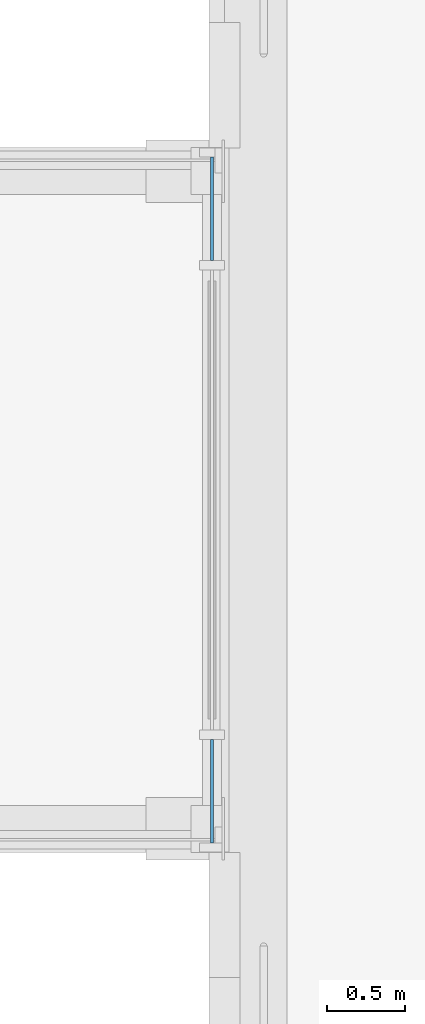
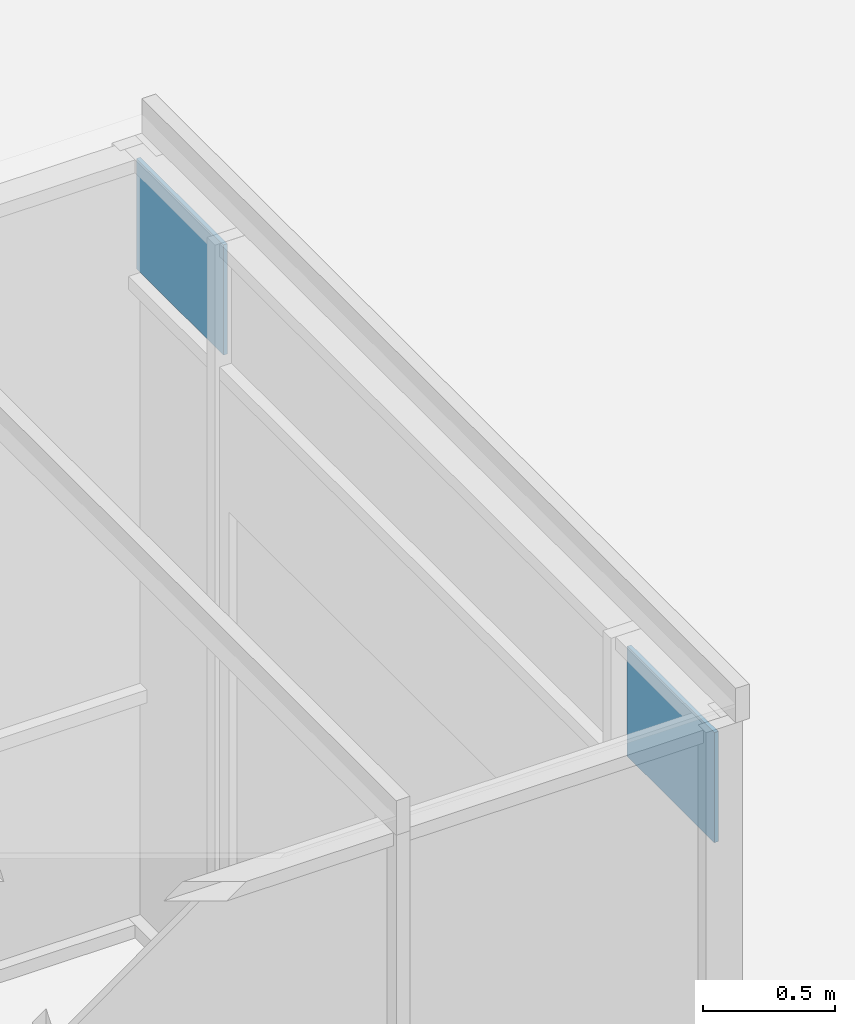
# One storey, part 50 of 79: 2 plates, 1 element without a shape of its own.
"""IFC4 building model written with IfcOpenShell, lengths in metres."""

import ifcopenshell
import ifcopenshell.guid

model = None  # the IFC model being written
_history = None  # IfcOwnerHistory: only IFC2X3 demands one
_inside = {}  # id of a spatial element -> (the spatial element, [elements in it])
_under = {}  # id of a project, library or spatial element -> (it, [spatial elements below it])
_declared = {}  # id of a project -> (the project, [libraries it declares])
_typed = {}  # id of a type object -> (the type object, [elements of that type])
_made_of = {}  # id of a material, layer set ... -> (it, [elements and type objects made of it])


def new_model(schema):
    """Start an empty IFC model of exactly this schema.

    Asked for "IFC4X3", IfcOpenShell would pick the latest addendum, in which some entities
    have other attributes; the version numbers below select the first issue.
    IFC2X3 requires an IfcOwnerHistory on every rooted entity: one is made here for all.
    """
    global model, _history
    if schema == "IFC4X3":
        model = ifcopenshell.file(schema_version=(4, 3, 0, 0))
    else:
        model = ifcopenshell.file(schema=schema)
    _inside.clear()
    _under.clear()
    _declared.clear()
    _typed.clear()
    _made_of.clear()
    _history = None
    if model.schema == "IFC2X3":
        org = make("IfcOrganization", Name="unknown")
        user = make(
            "IfcPersonAndOrganization",
            ThePerson=make("IfcPerson", FamilyName="unknown"),
            TheOrganization=org,
        )
        app = make(
            "IfcApplication",
            ApplicationDeveloper=org,
            Version="unknown",
            ApplicationFullName="unknown",
            ApplicationIdentifier="unknown",
        )
        _history = make(
            "IfcOwnerHistory",
            OwningUser=user,
            OwningApplication=app,
            ChangeAction="ADDED",
            CreationDate=0,
        )
    return model


def make(cls, **values):
    """One entity of the class cls with the attributes given. An attribute that is None is left unset."""
    return model.create_entity(
        cls, **{name: value for name, value in values.items() if value is not None}
    )


def rooted(cls, **values):
    """An entity with a GlobalId (a new one), such as an element, a storey or a relation."""
    return make(cls, GlobalId=ifcopenshell.guid.new(), OwnerHistory=_history, **values)


def si_unit(unit_type, name, prefix=None):
    """IfcSIUnit, for example si_unit("LENGTHUNIT", "METRE", prefix="MILLI")."""
    return make("IfcSIUnit", UnitType=unit_type, Prefix=prefix, Name=name)


def assignment(units):
    """IfcUnitAssignment: the units of a project."""
    return None if units is None else make("IfcUnitAssignment", Units=units)


def point(xyz):
    """IfcCartesianPoint."""
    return None if xyz is None else make("IfcCartesianPoint", Coordinates=xyz)


def direction(xyz):
    """IfcDirection."""
    return None if xyz is None else make("IfcDirection", DirectionRatios=xyz)


def frame(location, z_axis=None, x_axis=None):
    """IfcAxis2Placement3D, a coordinate frame: its origin and axes. An axis left out is left unset."""
    return make(
        "IfcAxis2Placement3D",
        Location=point(location),
        Axis=direction(z_axis),
        RefDirection=direction(x_axis),
    )


def frame_2d(location, x_axis=None):
    """IfcAxis2Placement2D, a coordinate frame in the plane: its origin and x axis."""
    return make(
        "IfcAxis2Placement2D", Location=point(location), RefDirection=direction(x_axis)
    )


def origin():
    """The frame at (0, 0, 0) with its axes left unset."""
    return frame((0.0, 0.0, 0.0))


def origin_2d():
    """The frame at (0, 0) in the plane with its x axis left unset."""
    return frame_2d((0.0, 0.0))


def place(relative_to, where):
    """IfcLocalPlacement: puts the frame where relative to a parent placement (None: the world)."""
    return make(
        "IfcLocalPlacement", PlacementRelTo=relative_to, RelativePlacement=where
    )


def context(
    kind, dimensions, precision=None, world=None, true_north=None, identifier=None
):
    """IfcGeometricRepresentationContext, for example the 3D "Model" context."""
    return make(
        "IfcGeometricRepresentationContext",
        ContextIdentifier=identifier,
        ContextType=kind,
        CoordinateSpaceDimension=dimensions,
        Precision=precision,
        WorldCoordinateSystem=world,
        TrueNorth=true_north,
    )


def subcontext(parent, identifier, kind, view, scale=None):
    """IfcGeometricRepresentationSubContext, for example "Body" below "Model"."""
    return make(
        "IfcGeometricRepresentationSubContext",
        ContextIdentifier=identifier,
        ContextType=kind,
        ParentContext=parent,
        TargetScale=scale,
        TargetView=view,
    )


def project(units=None, contexts=None):
    """IfcProject with its units and contexts."""
    return rooted(
        "IfcProject",
        Name="project",
        RepresentationContexts=contexts,
        UnitsInContext=assignment(units),
    )


def spatial(cls, under=None, at=None, **own):
    """A site, building, storey or space (cls), placed at a placement, below another one or the project."""
    s = rooted(cls, ObjectPlacement=at, **own)
    if under is not None:
        _under.setdefault(under.id(), (under, []))[1].append(s)
    return s


def profile(cls, at=None, kind="AREA", **sizes):
    """A parametric profile (cls). Its sizes go by their IFC names, for example OverallWidth=200.0."""
    return make(cls, ProfileType=kind, Position=at, **sizes)


def rectangle(**sizes):
    """IfcRectangleProfileDef."""
    return profile("IfcRectangleProfileDef", **sizes)


def extrude(swept, where, along, depth):
    """IfcExtrudedAreaSolid: the profile swept, set in the frame where, extruded along a direction by depth."""
    return make(
        "IfcExtrudedAreaSolid",
        SweptArea=swept,
        Position=where,
        ExtrudedDirection=direction(along),
        Depth=depth,
    )


def shape(context_of_items, identifier, shape_type, items):
    """IfcShapeRepresentation: the items that make up one representation, for example the "Body"."""
    return make(
        "IfcShapeRepresentation",
        ContextOfItems=context_of_items,
        RepresentationIdentifier=identifier,
        RepresentationType=shape_type,
        Items=items,
    )


def material(Name=None, Category=None):
    """IfcMaterial."""
    return make("IfcMaterial", Name=Name, Category=Category)


def layer(
    of_material, thickness, ventilated=None, Name=None, Category=None, Priority=None
):
    """IfcMaterialLayer: one layer of a wall or slab, of a material (None: an air gap)."""
    return make(
        "IfcMaterialLayer",
        Material=of_material,
        LayerThickness=thickness,
        IsVentilated=ventilated,
        Name=Name,
        Category=Category,
        Priority=Priority,
    )


def layer_set(layers, Name=None):
    """IfcMaterialLayerSet."""
    return make("IfcMaterialLayerSet", MaterialLayers=layers, LayerSetName=Name)


def made_of(thing, what):
    """Note that an element or type object is made of a material, layer set ...; save() writes the relation."""
    if what is not None:
        _made_of.setdefault(what.id(), (what, []))[1].append(thing)
    return thing


def type_object(cls, material=None, **own):
    """A type object (cls), such as IfcWallType, which elements share."""
    return made_of(rooted(cls, **own), material)


def element(
    cls,
    number,
    at=None,
    inside=None,
    cuts=None,
    type_object=None,
    material=None,
    context=None,
    identifier="Body",
    shape_type=None,
    held_by="IfcProductDefinitionShape",
    body=None,
    shapes=None,
    **own,
):
    """One element of the class cls, such as IfcWall. Its Tag is "e" and its number.

    at: its placement. inside: the storey or other place that contains it. cuts: it is an
    opening in that element (IfcRelVoidsElement). A single representation is given by context,
    identifier, shape_type and body (its items); several are given by shapes. held_by: the class
    of the entity that holds the representations. save() writes the other relations.
    """
    e = rooted(cls, Tag="e%d" % number, ObjectPlacement=at, **own)
    if body is not None:
        shapes = [shape(context, identifier, shape_type, body)]
    if shapes is not None:
        e.Representation = make(held_by, Representations=shapes)
    if inside is not None:
        _inside.setdefault(inside.id(), (inside, []))[1].append(e)
    if cuts is not None:
        rooted(
            "IfcRelVoidsElement", RelatingBuildingElement=cuts, RelatedOpeningElement=e
        )
    if type_object is not None:
        _typed.setdefault(type_object.id(), (type_object, []))[1].append(e)
    return made_of(e, material)


def aggregate(whole, parts):
    """IfcRelAggregates: a whole, such as a stair, and the parts it consists of."""
    return rooted("IfcRelAggregates", RelatingObject=whole, RelatedObjects=parts)


def save(model, path):
    """Write the relations noted so far, then the file.

    IfcRelAggregates (storeys below a building ...), IfcRelContainedInSpatialStructure (elements
    in a storey), IfcRelDefinesByType, IfcRelAssociatesMaterial and IfcRelDeclares: one each for
    every whole, place, type object, material and project.
    """
    for whole, parts in _under.values():
        aggregate(whole, parts)
    for where, things in _inside.values():
        rooted(
            "IfcRelContainedInSpatialStructure",
            RelatedElements=things,
            RelatingStructure=where,
        )
    for kind, things in _typed.values():
        rooted("IfcRelDefinesByType", RelatedObjects=things, RelatingType=kind)
    for what, things in _made_of.values():
        rooted("IfcRelAssociatesMaterial", RelatedObjects=things, RelatingMaterial=what)
    for by, libraries in _declared.values():
        rooted("IfcRelDeclares", RelatingContext=by, RelatedDefinitions=libraries)
    model.write(path)


model = new_model("IFC4")

# Units and contexts
model_context = context("Model", 3, precision=1e-05, world=origin(), true_north=direction((0.0, 1.0)))
body_context = subcontext(model_context, "Body", "Model", "MODEL_VIEW")
ifc_project = project(units=[si_unit("LENGTHUNIT", "METRE"), si_unit("AREAUNIT", "SQUARE_METRE"), si_unit("VOLUMEUNIT", "CUBIC_METRE"), si_unit("PLANEANGLEUNIT", "RADIAN"), si_unit("MASSUNIT", "GRAM", prefix="KILO")], contexts=[model_context])

# Site, building, storey
site_placement = place(None, origin())
site = spatial("IfcSite", under=ifc_project, at=site_placement, CompositionType="ELEMENT")
building_placement = place(site_placement, origin())
building = spatial("IfcBuilding", under=site, at=building_placement, Name="Guidao Yard Department Store", CompositionType="ELEMENT")
storey_placement = place(building_placement, frame((0.0, 0.0, 15.0)))
storey = spatial("IfcBuildingStorey", under=building, at=storey_placement, Name="L03", CompositionType="ELEMENT", Elevation=15.0)

# Curtain wall, plates
ifc_material_1 = material(Name="Aluminium and glass", Category="aluminium")
ifc_layer_1 = layer(ifc_material_1, 0.159912109375)
ifc_layer_set_1 = layer_set([ifc_layer_1], Name="Bridge glazing CW5 1500 module")
curtain_wall_type = type_object("IfcCurtainWallType", Name="Bridge glazing CW5 1500 module", PredefinedType="NOTDEFINED", material=ifc_layer_set_1)
curtain_wall_placement = place(storey_placement, origin())
curtain_wall = element("IfcCurtainWall", 1, at=curtain_wall_placement, inside=storey, type_object=curtain_wall_type, Name="Bridge end screen BR05", PredefinedType="NOTDEFINED")
ifc_material_2 = material(Name="Laminated heat-soaked tempered glass", Category="glass")
ifc_layer_2 = layer(ifc_material_2, 0.017578125)
ifc_layer_set_2 = layer_set([ifc_layer_2], Name="Vision glass VG1 laminated heat-soaked tempered 8+8")
plate_type = type_object("IfcPlateType", Name="Vision glass VG1 laminated heat-soaked tempered 8+8", PredefinedType="CURTAIN_PANEL", material=ifc_layer_set_2)
plate_1_placement = place(storey_placement, frame((71.919921875, 65.639892578125, 3.02978515625), z_axis=(0.0, 0.0, 1.0), x_axis=(0.0, -1.0, 0.0)))
plate_1 = element("IfcPlate", 2, at=plate_1_placement, type_object=plate_type, Name="CW-E-L03-03 panel 1.2", PredefinedType="CURTAIN_PANEL", context=body_context, shape_type="SweptSolid", body=[
    extrude(rectangle(XDim=0.659912109375, YDim=0.017578125, at=origin_2d()), origin(), (0.0, 0.0, 1.0), 0.510009765625),
])
plate_2_placement = place(storey_placement, frame((71.919921875, 69.360107421875, 3.02978515625), z_axis=(0.0, 0.0, 1.0), x_axis=(0.0, -1.0, 0.0)))
plate_2 = element("IfcPlate", 3, at=plate_2_placement, type_object=plate_type, Name="CW-E-L03-03 panel 3.2", PredefinedType="CURTAIN_PANEL", context=body_context, shape_type="SweptSolid", body=[
    extrude(rectangle(XDim=0.659912109375, YDim=0.017578125, at=origin_2d()), origin(), (0.0, 0.0, 1.0), 0.510009765625),
])
aggregate(curtain_wall, [plate_1, plate_2])

save(model, "model.ifc")
